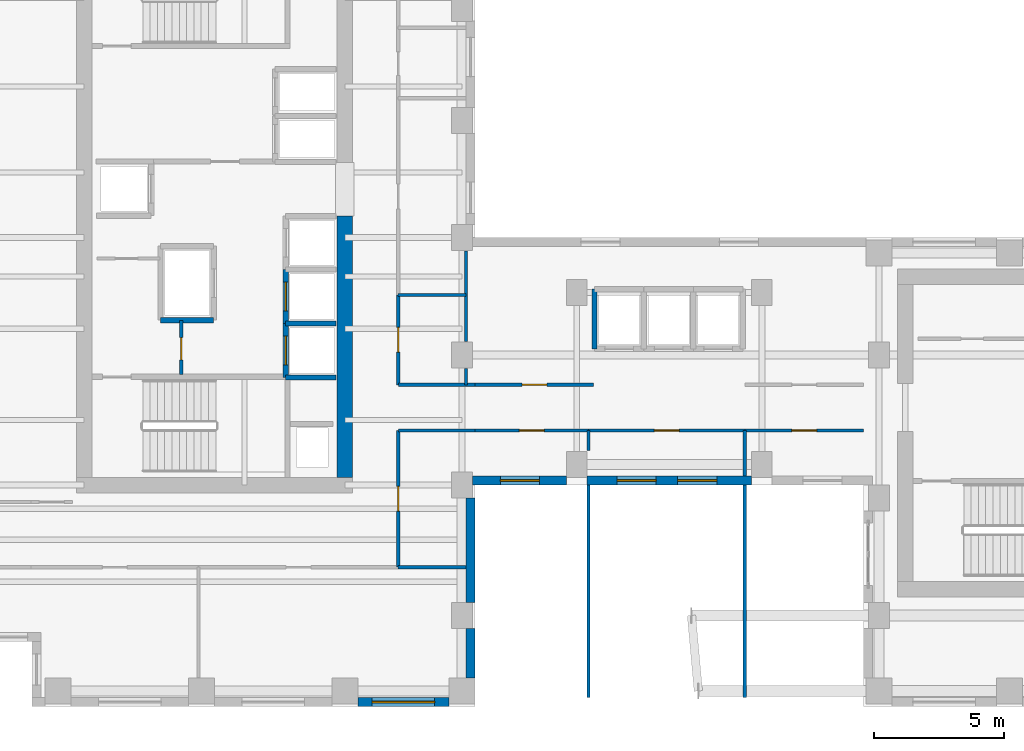
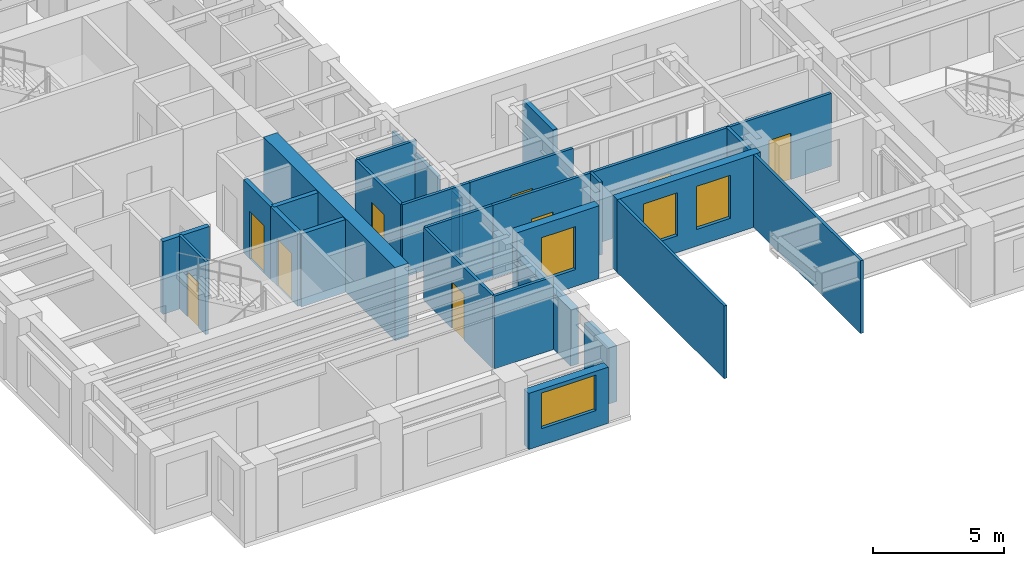
# One storey, part 6 of 13: 29 walls, 9 doors, 4 windows, 13 openings.
"""IFC4 building model written with IfcOpenShell, lengths in metres."""

from ifc_helpers import new_model, si_unit, direction, frame, frame_2d, origin, place, context, subcontext, project, spatial, rectangle, extrude, source, transform, mapped, material, layer, layer_set, type_object, element, fill, save


model = new_model("IFC4")

# Units and contexts
model_context = context("Model", 3, precision=1e-05, world=origin(), true_north=direction((0.0, 1.0)))
body_context = subcontext(model_context, "Body", "Model", "MODEL_VIEW")
ifc_project = project(units=[si_unit("LENGTHUNIT", "METRE"), si_unit("AREAUNIT", "SQUARE_METRE"), si_unit("VOLUMEUNIT", "CUBIC_METRE"), si_unit("PLANEANGLEUNIT", "RADIAN"), si_unit("MASSUNIT", "GRAM", prefix="KILO")], contexts=[model_context])

# Site, building, storey
site_placement = place(None, origin())
site = spatial("IfcSite", under=ifc_project, at=site_placement, CompositionType="ELEMENT")
building_placement = place(site_placement, origin())
building = spatial("IfcBuilding", under=site, at=building_placement, Name="Kharzan Plaza Tower", CompositionType="ELEMENT")
storey_placement = place(building_placement, frame((0.0, 0.0, 161.10009765625)))
storey = spatial("IfcBuildingStorey", under=building, at=storey_placement, Name="L43", CompositionType="ELEMENT", Elevation=161.10009765625)

# Wall, opening, window
ifc_material_1 = material(Name="Concrete C40/50", Category="concrete")
ifc_layer_1 = layer(ifc_material_1, 0.35009765625)
ifc_layer_set_1 = layer_set([ifc_layer_1], Name="Concrete C40/50")
wall_type_1 = type_object("IfcWallType", Name="WL-EXT-MAS-Z3", PredefinedType="SOLIDWALL", material=ifc_layer_set_1)
wall_1_placement = place(storey_placement, frame((14.998046875, 0.175048828125, 0.0), z_axis=(0.0, 0.0, 1.0), x_axis=(1.0, 0.0, 0.0)))
wall_1 = element("IfcWall", 1, at=wall_1_placement, inside=storey, type_object=wall_type_1, Name="L43 Masonry-Frame Exterior Wall 23", PredefinedType="SOLIDWALL", context=body_context, shape_type="SweptSolid", body=[
    extrude(rectangle(XDim=3.50390625, YDim=0.35009765625, at=frame_2d((1.751953125, 0.0))), origin(), (0.0, 0.0, 1.0), 2.61181640625),
])
opening_1_placement = place(wall_1_placement, frame((0.552001953125, 0.0, 0.780029296875)))
opening_1 = element("IfcOpeningElement", 2, at=opening_1_placement, cuts=wall_1, Name="Opening W2", PredefinedType="OPENING", context=body_context, shape_type="SweptSolid", body=[
    extrude(rectangle(XDim=2.39990234375, YDim=1.652099609375, at=frame_2d((1.199951171875, 0.826171875))), frame((0.0, 0.18505859375, 0.0), z_axis=(0.0, -1.0, 0.0), x_axis=(1.0, 0.0, 0.0)), (0.0, 0.0, 1.0), 0.3701171875),
])
ifc_material_2 = material(Name="Low-E Double Glazing", Category="glass")
window_type_1 = type_object("IfcWindowType", Name="WN-REC-2400x2100", PartitioningType="SINGLE_PANEL", PredefinedType="WINDOW", material=ifc_material_2)
shared_shape_1 = source(origin(), body_context, "Body", "SweptSolid", [
    extrude(rectangle(XDim=2.39990234375, YDim=1.652099609375, at=frame_2d((1.199951171875, 0.826171875))), frame((0.0, 0.030029296875, 0.0), z_axis=(0.0, -1.0, 0.0), x_axis=(1.0, 0.0, 0.0)), (0.0, 0.0, 1.0), 0.06005859375),
])
window_1_placement = place(opening_1_placement, origin())
window_1 = element("IfcWindow", 3, at=window_1_placement, inside=storey, type_object=window_type_1, Name="L43 Wide Recessed Solar-Control Window 23-1", OverallHeight=1.652099609375, OverallWidth=2.39990234375, PartitioningType="SINGLE_PANEL", PredefinedType="WINDOW", context=body_context, shape_type="MappedRepresentation", body=[
    mapped(shared_shape_1, transform((0.0, 0.0, 0.0), x_axis=(1.0, 0.0, 0.0), y_axis=(0.0, 1.0, 0.0), z_axis=(0.0, 0.0, 1.0))),
])
fill(opening_1, window_1)

wall_2_placement = place(storey_placement, frame((19.39794921875, 8.675048828125, 0.0), z_axis=(0.0, 0.0, 1.0), x_axis=(1.0, 0.0, 0.0)))
wall_2 = element("IfcWall", 4, at=wall_2_placement, inside=storey, type_object=wall_type_1, Name="L43 Masonry-Frame Exterior Wall 26", PredefinedType="SOLIDWALL", context=body_context, shape_type="SweptSolid", body=[
    extrude(rectangle(XDim=3.60400390625, YDim=0.35009765625, at=frame_2d((1.802001953125, 0.0))), origin(), (0.0, 0.0, 1.0), 3.385009765625),
])
opening_2_placement = place(wall_2_placement, frame((1.067138671875, 0.0, 0.780029296875)))
opening_2 = element("IfcOpeningElement", 5, at=opening_2_placement, cuts=wall_2, Name="Opening W5", PredefinedType="OPENING", context=body_context, shape_type="SweptSolid", body=[
    extrude(rectangle(XDim=1.5, YDim=2.0, at=frame_2d((0.75, 1.0))), frame((0.0, 0.18505859375, 0.0), z_axis=(0.0, -1.0, 0.0), x_axis=(1.0, 0.0, 0.0)), (0.0, 0.0, 1.0), 0.3701171875),
])
window_type_2 = type_object("IfcWindowType", Name="WN-SLT-1500x2000", PartitioningType="SINGLE_PANEL", PredefinedType="WINDOW", material=ifc_material_2)
shared_shape_2 = source(origin(), body_context, "Body", "SweptSolid", [
    extrude(rectangle(XDim=1.5, YDim=2.0, at=frame_2d((0.75, 1.0))), frame((0.0, 0.030029296875, 0.0), z_axis=(0.0, -1.0, 0.0), x_axis=(1.0, 0.0, 0.0)), (0.0, 0.0, 1.0), 0.06005859375),
])
window_2_placement = place(opening_2_placement, origin())
window_2 = element("IfcWindow", 6, at=window_2_placement, inside=storey, type_object=window_type_2, Name="L43 Recessed Solar-Control Window 26-1", OverallHeight=2.0, OverallWidth=1.5, PartitioningType="SINGLE_PANEL", PredefinedType="WINDOW", context=body_context, shape_type="MappedRepresentation", body=[
    mapped(shared_shape_2, transform((0.0, 0.0, 0.0), x_axis=(1.0, 0.0, 0.0), y_axis=(0.0, 1.0, 0.0), z_axis=(0.0, 0.0, 1.0))),
])
fill(opening_2, window_2)

# Wall, openings, windows
wall_3_placement = place(storey_placement, frame((23.798095703125, 8.675048828125, 0.0), z_axis=(0.0, 0.0, 1.0), x_axis=(1.0, 0.0, 0.0)))
wall_3 = element("IfcWall", 7, at=wall_3_placement, inside=storey, type_object=wall_type_1, Name="L43 Masonry-Frame Exterior Wall 27", PredefinedType="SOLIDWALL", context=body_context, shape_type="SweptSolid", body=[
    extrude(rectangle(XDim=6.303955078125, YDim=0.35009765625, at=frame_2d((3.15185546875, 0.0))), origin(), (0.0, 0.0, 1.0), 3.385009765625),
])
opening_3_placement = place(wall_3_placement, frame((1.147216796875, 0.0, 0.780029296875)))
opening_3 = element("IfcOpeningElement", 8, at=opening_3_placement, cuts=wall_3, Name="Opening W5", PredefinedType="OPENING", context=body_context, shape_type="SweptSolid", body=[
    extrude(rectangle(XDim=1.5, YDim=2.0, at=frame_2d((0.75, 1.0))), frame((0.0, 0.18505859375, 0.0), z_axis=(0.0, -1.0, 0.0), x_axis=(1.0, 0.0, 0.0)), (0.0, 0.0, 1.0), 0.3701171875),
])
opening_4_placement = place(wall_3_placement, frame((3.474609375, 0.0, 0.780029296875)))
opening_4 = element("IfcOpeningElement", 9, at=opening_4_placement, cuts=wall_3, Name="Opening W5", PredefinedType="OPENING", context=body_context, shape_type="SweptSolid", body=[
    extrude(rectangle(XDim=1.5, YDim=2.0, at=frame_2d((0.75, 1.0))), frame((0.0, 0.18505859375, 0.0), z_axis=(0.0, -1.0, 0.0), x_axis=(1.0, 0.0, 0.0)), (0.0, 0.0, 1.0), 0.3701171875),
])
window_3_placement = place(opening_3_placement, origin())
window_3 = element("IfcWindow", 10, at=window_3_placement, inside=storey, type_object=window_type_2, Name="L43 Recessed Solar-Control Window 27-1", OverallHeight=2.0, OverallWidth=1.5, PartitioningType="SINGLE_PANEL", PredefinedType="WINDOW", context=body_context, shape_type="MappedRepresentation", body=[
    mapped(shared_shape_2, transform((0.0, 0.0, 0.0), x_axis=(1.0, 0.0, 0.0), y_axis=(0.0, 1.0, 0.0), z_axis=(0.0, 0.0, 1.0))),
])
fill(opening_3, window_3)
window_4_placement = place(opening_4_placement, origin())
window_4 = element("IfcWindow", 11, at=window_4_placement, inside=storey, type_object=window_type_2, Name="L43 Recessed Solar-Control Window 27-2", OverallHeight=2.0, OverallWidth=1.5, PartitioningType="SINGLE_PANEL", PredefinedType="WINDOW", context=body_context, shape_type="MappedRepresentation", body=[
    mapped(shared_shape_2, transform((0.0, 0.0, 0.0), x_axis=(1.0, 0.0, 0.0), y_axis=(0.0, 1.0, 0.0), z_axis=(0.0, 0.0, 1.0))),
])
fill(opening_4, window_4)

# Wall, opening, door
ifc_material_3 = material(Name="Fire-Rated Gypsum Board Partition", Category="gypsum")
ifc_layer_2 = layer(ifc_material_3, 0.125)
ifc_layer_set_2 = layer_set([ifc_layer_2], Name="Fire-Rated Gypsum Board Partition")
wall_type_2 = type_object("IfcWallType", Name="WL-INT-PART-125", PredefinedType="PARTITIONING", material=ifc_layer_set_2)
wall_4_placement = place(storey_placement, frame((8.219970703125, 12.75, 0.0), z_axis=(0.0, 0.0, 1.0), x_axis=(0.0, 1.0, 0.0)))
wall_4 = element("IfcWall", 12, at=wall_4_placement, inside=storey, type_object=wall_type_2, Name="L43 Interior Partition CA-K1E", PredefinedType="PARTITIONING", context=body_context, shape_type="SweptSolid", body=[
    extrude(rectangle(XDim=2.070068359375, YDim=0.125, at=frame_2d((1.03515625, 0.0))), origin(), (0.0, 0.0, 1.0), 3.385009765625),
])
opening_5_placement = place(wall_4_placement, frame((0.56005859375, 0.0, 0.0)))
opening_5 = element("IfcOpeningElement", 13, at=opening_5_placement, cuts=wall_4, Name="Opening RD1", PredefinedType="OPENING", context=body_context, shape_type="SweptSolid", body=[
    extrude(rectangle(XDim=0.85009765625, YDim=2.10009765625, at=frame_2d((0.425048828125, 1.050048828125))), frame((0.0, 0.072509765625, 0.0), z_axis=(0.0, -1.0, 0.0), x_axis=(1.0, 0.0, 0.0)), (0.0, 0.0, 1.0), 0.14501953125),
])
ifc_material_4 = material(Name="Powder-Coated Fire-Rated Steel", Category="steel")
door_type_1 = type_object("IfcDoorType", Name="DR-RISER-900", OperationType="NOTDEFINED", PredefinedType="DOOR", material=ifc_material_4)
shared_shape_3 = source(origin(), body_context, "Body", "SweptSolid", [
    extrude(rectangle(XDim=0.85009765625, YDim=2.10009765625, at=frame_2d((0.425048828125, 1.050048828125))), frame((0.0, 0.02490234375, 0.0), z_axis=(0.0, -1.0, 0.0), x_axis=(1.0, 0.0, 0.0)), (0.0, 0.0, 1.0), 0.050048828125),
])
door_1_placement = place(opening_5_placement, origin())
door_1 = element("IfcDoor", 14, at=door_1_placement, inside=storey, type_object=door_type_1, Name="L43 Core Service Store Door", OperationType="SINGLE_SWING_LEFT", OverallHeight=2.10009765625, OverallWidth=0.85009765625, PredefinedType="DOOR", context=body_context, shape_type="MappedRepresentation", body=[
    mapped(shared_shape_3, transform((0.0, 0.0, 0.0), x_axis=(1.0, 0.0, 0.0), y_axis=(0.0, 1.0, 0.0), z_axis=(0.0, 0.0, 1.0))),
])
fill(opening_5, door_1)

wall_5_placement = place(storey_placement, frame((16.550048828125, 12.35009765625, 0.0), z_axis=(0.0, 0.0, 1.0), x_axis=(0.0, 1.0, 0.0)))
wall_5 = element("IfcWall", 15, at=wall_5_placement, inside=storey, type_object=wall_type_2, Name="L43 Interior Partition SH-AEWN1", PredefinedType="PARTITIONING", context=body_context, shape_type="SweptSolid", body=[
    extrude(rectangle(XDim=3.449951171875, YDim=0.125, at=frame_2d((1.72509765625, 0.0))), origin(), (0.0, 0.0, 1.0), 3.385009765625),
])
opening_6_placement = place(wall_5_placement, frame((1.25, 0.0, 0.0)))
opening_6 = element("IfcOpeningElement", 16, at=opening_6_placement, cuts=wall_5, Name="Opening OD1", PredefinedType="OPENING", context=body_context, shape_type="SweptSolid", body=[
    extrude(rectangle(XDim=0.949951171875, YDim=2.14990234375, at=frame_2d((0.47509765625, 1.074951171875))), frame((0.0, 0.072509765625, 0.0), z_axis=(0.0, -1.0, 0.0), x_axis=(1.0, 0.0, 0.0)), (0.0, 0.0, 1.0), 0.14501953125),
])
ifc_material_5 = material(Name="Acoustic Solid-Core Stained Oak", Category="timber")
door_type_2 = type_object("IfcDoorType", Name="DR-OFF-SINGLE", OperationType="NOTDEFINED", PredefinedType="DOOR", material=ifc_material_5)
shared_shape_4 = source(origin(), body_context, "Body", "SweptSolid", [
    extrude(rectangle(XDim=0.949951171875, YDim=2.14990234375, at=frame_2d((0.47509765625, 1.074951171875))), frame((0.0, 0.02490234375, 0.0), z_axis=(0.0, -1.0, 0.0), x_axis=(1.0, 0.0, 0.0)), (0.0, 0.0, 1.0), 0.050048828125),
])
door_2_placement = place(opening_6_placement, origin())
door_2 = element("IfcDoor", 17, at=door_2_placement, inside=storey, type_object=door_type_2, Name="L43 Slot Collaboration Door", OperationType="SINGLE_SWING_RIGHT", OverallHeight=2.14990234375, OverallWidth=0.949951171875, PredefinedType="DOOR", context=body_context, shape_type="MappedRepresentation", body=[
    mapped(shared_shape_4, transform((0.0, 0.0, 0.0), x_axis=(1.0, 0.0, 0.0), y_axis=(0.0, 1.0, 0.0), z_axis=(0.0, 0.0, 1.0))),
])
fill(opening_6, door_2)

wall_6_placement = place(storey_placement, frame((16.550048828125, 5.35009765625, 0.0), z_axis=(0.0, 0.0, 1.0), x_axis=(0.0, 1.0, 0.0)))
wall_6 = element("IfcWall", 18, at=wall_6_placement, inside=storey, type_object=wall_type_2, Name="L43 Interior Partition SH-AEWS", PredefinedType="PARTITIONING", context=body_context, shape_type="SweptSolid", body=[
    extrude(rectangle(XDim=5.25, YDim=0.125, at=frame_2d((2.625, 0.0))), origin(), (0.0, 0.0, 1.0), 3.385009765625),
])
opening_7_placement = place(wall_6_placement, frame((2.14990234375, 0.0, 0.0)))
opening_7 = element("IfcOpeningElement", 19, at=opening_7_placement, cuts=wall_6, Name="Opening OD1", PredefinedType="OPENING", context=body_context, shape_type="SweptSolid", body=[
    extrude(rectangle(XDim=0.949951171875, YDim=2.14990234375, at=frame_2d((0.47509765625, 1.074951171875))), frame((0.0, 0.072509765625, 0.0), z_axis=(0.0, -1.0, 0.0), x_axis=(1.0, 0.0, 0.0)), (0.0, 0.0, 1.0), 0.14501953125),
])
door_3_placement = place(opening_7_placement, origin())
door_3 = element("IfcDoor", 20, at=door_3_placement, inside=storey, type_object=door_type_2, Name="L43 Slot South Office Door", OperationType="SINGLE_SWING_LEFT", OverallHeight=2.14990234375, OverallWidth=0.949951171875, PredefinedType="DOOR", context=body_context, shape_type="MappedRepresentation", body=[
    mapped(shared_shape_4, transform((0.0, 0.0, 0.0), x_axis=(1.0, 0.0, 0.0), y_axis=(0.0, 1.0, 0.0), z_axis=(0.0, 0.0, 1.0))),
])
fill(opening_7, door_3)

wall_7_placement = place(storey_placement, frame((19.5, 12.35009765625, 0.0), z_axis=(0.0, 0.0, 1.0), x_axis=(1.0, 0.0, 0.0)))
wall_7 = element("IfcWall", 21, at=wall_7_placement, inside=storey, type_object=wall_type_2, Name="L43 Interior Partition SH-SPNW1", PredefinedType="PARTITIONING", context=body_context, shape_type="SweptSolid", body=[
    extrude(rectangle(XDim=4.550048828125, YDim=0.125, at=frame_2d((2.27490234375, 0.0))), origin(), (0.0, 0.0, 1.0), 3.385009765625),
])
opening_8_placement = place(wall_7_placement, frame((1.800048828125, 0.0, 0.0)))
opening_8 = element("IfcOpeningElement", 22, at=opening_8_placement, cuts=wall_7, Name="Opening OD1", PredefinedType="OPENING", context=body_context, shape_type="SweptSolid", body=[
    extrude(rectangle(XDim=0.949951171875, YDim=2.14990234375, at=frame_2d((0.47509765625, 1.074951171875))), frame((0.0, 0.072509765625, 0.0), z_axis=(0.0, -1.0, 0.0), x_axis=(1.0, 0.0, 0.0)), (0.0, 0.0, 1.0), 0.14501953125),
])
door_4_placement = place(opening_8_placement, origin())
door_4 = element("IfcDoor", 23, at=door_4_placement, inside=storey, type_object=door_type_2, Name="L43 North-West Spine Door", OperationType="SINGLE_SWING_LEFT", OverallHeight=2.14990234375, OverallWidth=0.949951171875, PredefinedType="DOOR", context=body_context, shape_type="MappedRepresentation", body=[
    mapped(shared_shape_4, transform((0.0, 0.0, 0.0), x_axis=(1.0, 0.0, 0.0), y_axis=(0.0, 1.0, 0.0), z_axis=(0.0, 0.0, 1.0))),
])
fill(opening_8, door_4)

wall_8_placement = place(storey_placement, frame((19.5, 10.60009765625, 0.0), z_axis=(0.0, 0.0, 1.0), x_axis=(1.0, 0.0, 0.0)))
wall_8 = element("IfcWall", 24, at=wall_8_placement, inside=storey, type_object=wall_type_2, Name="L43 Interior Partition SH-SPS1", PredefinedType="PARTITIONING", context=body_context, shape_type="SweptSolid", body=[
    extrude(rectangle(XDim=4.35009765625, YDim=0.125, at=frame_2d((2.175048828125, 0.0))), origin(), (0.0, 0.0, 1.0), 3.385009765625),
])
opening_9_placement = place(wall_8_placement, frame((1.699951171875, 0.0, 0.0)))
opening_9 = element("IfcOpeningElement", 25, at=opening_9_placement, cuts=wall_8, Name="Opening OD1", PredefinedType="OPENING", context=body_context, shape_type="SweptSolid", body=[
    extrude(rectangle(XDim=0.949951171875, YDim=2.14990234375, at=frame_2d((0.47509765625, 1.074951171875))), frame((0.0, 0.072509765625, 0.0), z_axis=(0.0, -1.0, 0.0), x_axis=(1.0, 0.0, 0.0)), (0.0, 0.0, 1.0), 0.14501953125),
])
door_5_placement = place(opening_9_placement, origin())
door_5 = element("IfcDoor", 26, at=door_5_placement, inside=storey, type_object=door_type_2, Name="L43 Spine Studio 1 Door", OperationType="SINGLE_SWING_RIGHT", OverallHeight=2.14990234375, OverallWidth=0.949951171875, PredefinedType="DOOR", context=body_context, shape_type="MappedRepresentation", body=[
    mapped(shared_shape_4, transform((0.0, 0.0, 0.0), x_axis=(1.0, 0.0, 0.0), y_axis=(0.0, 1.0, 0.0), z_axis=(0.0, 0.0, 1.0))),
])
fill(opening_9, door_5)

wall_9_placement = place(storey_placement, frame((23.85009765625, 10.60009765625, 0.0), z_axis=(0.0, 0.0, 1.0), x_axis=(1.0, 0.0, 0.0)))
wall_9 = element("IfcWall", 27, at=wall_9_placement, inside=storey, type_object=wall_type_2, Name="L43 Interior Partition SH-SPS2", PredefinedType="PARTITIONING", context=body_context, shape_type="SweptSolid", body=[
    extrude(rectangle(XDim=6.0, YDim=0.125, at=frame_2d((3.0, 0.0))), origin(), (0.0, 0.0, 1.0), 3.385009765625),
])
opening_10_placement = place(wall_9_placement, frame((2.52490234375, 0.0, 0.0)))
opening_10 = element("IfcOpeningElement", 28, at=opening_10_placement, cuts=wall_9, Name="Opening OD1", PredefinedType="OPENING", context=body_context, shape_type="SweptSolid", body=[
    extrude(rectangle(XDim=0.949951171875, YDim=2.14990234375, at=frame_2d((0.47509765625, 1.074951171875))), frame((0.0, 0.072509765625, 0.0), z_axis=(0.0, -1.0, 0.0), x_axis=(1.0, 0.0, 0.0)), (0.0, 0.0, 1.0), 0.14501953125),
])
door_6_placement = place(opening_10_placement, origin())
door_6 = element("IfcDoor", 29, at=door_6_placement, inside=storey, type_object=door_type_2, Name="L43 Spine Studio 2 Door", OperationType="SINGLE_SWING_LEFT", OverallHeight=2.14990234375, OverallWidth=0.949951171875, PredefinedType="DOOR", context=body_context, shape_type="MappedRepresentation", body=[
    mapped(shared_shape_4, transform((0.0, 0.0, 0.0), x_axis=(1.0, 0.0, 0.0), y_axis=(0.0, 1.0, 0.0), z_axis=(0.0, 0.0, 1.0))),
])
fill(opening_10, door_6)

wall_10_placement = place(storey_placement, frame((29.85009765625, 10.60009765625, 0.0), z_axis=(0.0, 0.0, 1.0), x_axis=(1.0, 0.0, 0.0)))
wall_10 = element("IfcWall", 30, at=wall_10_placement, inside=storey, type_object=wall_type_2, Name="L43 Interior Partition SH-SPS3", PredefinedType="PARTITIONING", context=body_context, shape_type="SweptSolid", body=[
    extrude(rectangle(XDim=4.5498046875, YDim=0.125, at=frame_2d((2.27490234375, 0.0))), origin(), (0.0, 0.0, 1.0), 3.385009765625),
])
opening_11_placement = place(wall_10_placement, frame((1.800048828125, 0.0, 0.0)))
opening_11 = element("IfcOpeningElement", 31, at=opening_11_placement, cuts=wall_10, Name="Opening OD1", PredefinedType="OPENING", context=body_context, shape_type="SweptSolid", body=[
    extrude(rectangle(XDim=0.949951171875, YDim=2.14990234375, at=frame_2d((0.47509765625, 1.074951171875))), frame((0.0, 0.072509765625, 0.0), z_axis=(0.0, -1.0, 0.0), x_axis=(1.0, 0.0, 0.0)), (0.0, 0.0, 1.0), 0.14501953125),
])
door_7_placement = place(opening_11_placement, origin())
door_7 = element("IfcDoor", 32, at=door_7_placement, inside=storey, type_object=door_type_2, Name="L43 Spine Studio 3 Door", OperationType="SINGLE_SWING_RIGHT", OverallHeight=2.14990234375, OverallWidth=0.949951171875, PredefinedType="DOOR", context=body_context, shape_type="MappedRepresentation", body=[
    mapped(shared_shape_4, transform((0.0, 0.0, 0.0), x_axis=(1.0, 0.0, 0.0), y_axis=(0.0, 1.0, 0.0), z_axis=(0.0, 0.0, 1.0))),
])
fill(opening_11, door_7)

ifc_layer_3 = layer(ifc_material_1, 0.199951171875)
ifc_layer_set_3 = layer_set([ifc_layer_3], Name="Concrete C40/50")
wall_type_3 = type_object("IfcWallType", Name="WL-INT-SHAFT-200", PredefinedType="PARTITIONING", material=ifc_layer_set_3)
wall_11_placement = place(storey_placement, frame((12.22998046875, 12.6298828125, 0.0), z_axis=(0.0, 0.0, 1.0), x_axis=(0.0, 1.0, 0.0)))
wall_11 = element("IfcWall", 33, at=wall_11_placement, inside=storey, type_object=wall_type_3, Name="L43 Interior Partition SHF-PL-H1-W", PredefinedType="PARTITIONING", context=body_context, shape_type="SweptSolid", body=[
    extrude(rectangle(XDim=2.070068359375, YDim=0.199951171875, at=frame_2d((1.03515625, 0.0))), origin(), (0.0, 0.0, 1.0), 3.385009765625),
])
opening_12_placement = place(wall_11_placement, frame((0.485107421875, 0.0, 0.0)))
opening_12 = element("IfcOpeningElement", 34, at=opening_12_placement, cuts=wall_11, Name="Opening LD", PredefinedType="OPENING", context=body_context, shape_type="SweptSolid", body=[
    extrude(rectangle(XDim=1.10009765625, YDim=2.199951171875, at=frame_2d((0.550048828125, 1.10009765625))), frame((0.0, 0.10986328125, 0.0), z_axis=(0.0, -1.0, 0.0), x_axis=(1.0, 0.0, 0.0)), (0.0, 0.0, 1.0), 0.219970703125),
])
ifc_material_6 = material(Name="Brushed Stainless Steel", Category="steel")
door_type_3 = type_object("IfcDoorType", Name="DR-LIFT-SLIDE", OperationType="SLIDING_TO_LEFT", PredefinedType="DOOR", material=ifc_material_6)
shared_shape_5 = source(origin(), body_context, "Body", "SweptSolid", [
    extrude(rectangle(XDim=1.10009765625, YDim=2.199951171875, at=frame_2d((0.550048828125, 1.10009765625))), frame((0.0, 0.02490234375, 0.0), z_axis=(0.0, -1.0, 0.0), x_axis=(1.0, 0.0, 0.0)), (0.0, 0.0, 1.0), 0.050048828125),
])
door_8_placement = place(opening_12_placement, origin())
door_8 = element("IfcDoor", 35, at=door_8_placement, inside=storey, type_object=door_type_3, Name="L43 High-Rise Passenger Lift PL-H1 Sliding Landing Door", OperationType="SLIDING_TO_LEFT", OverallHeight=2.199951171875, OverallWidth=1.10009765625, PredefinedType="DOOR", context=body_context, shape_type="MappedRepresentation", body=[
    mapped(shared_shape_5, transform((0.0, 0.0, 0.0), x_axis=(1.0, 0.0, 0.0), y_axis=(0.0, 1.0, 0.0), z_axis=(0.0, 0.0, 1.0))),
])
fill(opening_12, door_8)

wall_12_placement = place(storey_placement, frame((12.22998046875, 14.699951171875, 0.0), z_axis=(0.0, 0.0, 1.0), x_axis=(0.0, 1.0, 0.0)))
wall_12 = element("IfcWall", 36, at=wall_12_placement, inside=storey, type_object=wall_type_3, Name="L43 Interior Partition SHF-PL-H2-W", PredefinedType="PARTITIONING", context=body_context, shape_type="SweptSolid", body=[
    extrude(rectangle(XDim=2.070068359375, YDim=0.199951171875, at=frame_2d((1.03515625, 0.0))), origin(), (0.0, 0.0, 1.0), 3.385009765625),
])
opening_13_placement = place(wall_12_placement, frame((0.485107421875, 0.0, 0.0)))
opening_13 = element("IfcOpeningElement", 37, at=opening_13_placement, cuts=wall_12, Name="Opening LD", PredefinedType="OPENING", context=body_context, shape_type="SweptSolid", body=[
    extrude(rectangle(XDim=1.10009765625, YDim=2.199951171875, at=frame_2d((0.550048828125, 1.10009765625))), frame((0.0, 0.10986328125, 0.0), z_axis=(0.0, -1.0, 0.0), x_axis=(1.0, 0.0, 0.0)), (0.0, 0.0, 1.0), 0.219970703125),
])
door_9_placement = place(opening_13_placement, origin())
door_9 = element("IfcDoor", 38, at=door_9_placement, inside=storey, type_object=door_type_3, Name="L43 High-Rise Passenger Lift PL-H2 Sliding Landing Door", OperationType="SLIDING_TO_LEFT", OverallHeight=2.199951171875, OverallWidth=1.10009765625, PredefinedType="DOOR", context=body_context, shape_type="MappedRepresentation", body=[
    mapped(shared_shape_5, transform((0.0, 0.0, 0.0), x_axis=(1.0, 0.0, 0.0), y_axis=(0.0, 1.0, 0.0), z_axis=(0.0, 0.0, 1.0))),
])
fill(opening_13, door_9)

# Walls
ifc_material_7 = material(Name="Concrete C50/60", Category="concrete")
ifc_layer_4 = layer(ifc_material_7, 0.60009765625)
ifc_layer_set_4 = layer_set([ifc_layer_4], Name="Concrete C50/60")
wall_type_4 = type_object("IfcWallType", Name="WL-CORE-600", PredefinedType="SHEAR", material=ifc_layer_set_4)
shared_shape_6 = source(origin(), body_context, "Body", "SweptSolid", [
    extrude(rectangle(XDim=10.02001953125, YDim=0.60009765625, at=frame_2d((5.010009765625, 0.0))), origin(), (0.0, 0.0, 1.0), 3.39990234375),
])
wall_13_placement = place(storey_placement, frame((14.5, 8.800048828125, 0.0), z_axis=(0.0, 0.0, 1.0), x_axis=(0.0, 1.0, 0.0)))
element("IfcWall", 39, at=wall_13_placement, inside=storey, type_object=wall_type_4, Name="L43 CORE-A east shear pier 1", PredefinedType="SHEAR", context=body_context, shape_type="MappedRepresentation", body=[
    mapped(shared_shape_6, transform((0.0, 0.0, 0.0), x_axis=(1.0, 0.0, 0.0), y_axis=(0.0, 1.0, 0.0), z_axis=(0.0, 0.0, 1.0))),
])
shared_shape_7 = source(origin(), body_context, "Body", "SweptSolid", [
    extrude(rectangle(XDim=1.904052734375, YDim=0.35009765625, at=frame_2d((0.9521484375, 0.0))), origin(), (0.0, 0.0, 1.0), 2.61181640625),
])
wall_14_placement = place(storey_placement, frame((19.324951171875, 1.097900390625, 0.0), z_axis=(0.0, 0.0, 1.0), x_axis=(0.0, 1.0, 0.0)))
element("IfcWall", 40, at=wall_14_placement, inside=storey, type_object=wall_type_1, Name="L43 Masonry-Frame Exterior Wall 24", PredefinedType="SOLIDWALL", context=body_context, shape_type="MappedRepresentation", body=[
    mapped(shared_shape_7, transform((0.0, 0.0, 0.0), x_axis=(1.0, 0.0, 0.0), y_axis=(0.0, 1.0, 0.0), z_axis=(0.0, 0.0, 1.0))),
])
shared_shape_8 = source(origin(), body_context, "Body", "SweptSolid", [
    extrude(rectangle(XDim=0.6298828125, YDim=0.125, at=frame_2d((0.31494140625, 0.0))), origin(), (0.0, 0.0, 1.0), 2.77294921875),
])
wall_15_placement = place(storey_placement, frame((19.14990234375, 12.35009765625, 0.0), z_axis=(0.0, 0.0, 1.0), x_axis=(0.0, 1.0, 0.0)))
element("IfcWall", 41, at=wall_15_placement, inside=storey, type_object=wall_type_2, Name="L43 Interior Partition SH-AEN-DIV-S1", PredefinedType="PARTITIONING", context=body_context, shape_type="MappedRepresentation", body=[
    mapped(shared_shape_8, transform((0.0, 0.0, 0.0), x_axis=(1.0, 0.0, 0.0), y_axis=(0.0, 1.0, 0.0), z_axis=(0.0, 0.0, 1.0))),
])
shared_shape_9 = source(origin(), body_context, "Body", "SweptSolid", [
    extrude(rectangle(XDim=3.4599609375, YDim=0.125, at=frame_2d((1.72998046875, 0.0))), origin(), (0.0, 0.0, 1.0), 2.77294921875),
])
wall_16_placement = place(storey_placement, frame((19.14990234375, 14.02001953125, 0.0), z_axis=(0.0, 0.0, 1.0), x_axis=(0.0, 1.0, 0.0)))
element("IfcWall", 42, at=wall_16_placement, inside=storey, type_object=wall_type_2, Name="L43 Interior Partition SH-AEN-DIV-S2", PredefinedType="PARTITIONING", context=body_context, shape_type="MappedRepresentation", body=[
    mapped(shared_shape_9, transform((0.0, 0.0, 0.0), x_axis=(1.0, 0.0, 0.0), y_axis=(0.0, 1.0, 0.0), z_axis=(0.0, 0.0, 1.0))),
])
shared_shape_10 = source(origin(), body_context, "Body", "SweptSolid", [
    extrude(rectangle(XDim=1.93994140625, YDim=0.199951171875, at=frame_2d((0.969970703125, 0.0))), origin(), (0.0, 0.0, 1.0), 3.385009765625),
])
for number, where, z_axis, x_axis, name in (
    (43, (12.22998046875, 14.699951171875, 0.0), (0.0, 0.0, 1.0), (1.0, 0.0, 0.0), "L43 Interior Partition SHF-PL-H1-N"),
    (44, (12.22998046875, 12.6298828125, 0.0), (0.0, 0.0, 1.0), (1.0, 0.0, 0.0), "L43 Interior Partition SHF-PL-H1-S"),
):
    element("IfcWall", number, at=place(storey_placement, frame(where, z_axis=z_axis, x_axis=x_axis)), inside=storey, type_object=wall_type_3, Name=name, PredefinedType="PARTITIONING", context=body_context, shape_type="MappedRepresentation", body=[
        mapped(shared_shape_10, transform((0.0, 0.0, 0.0), x_axis=(1.0, 0.0, 0.0), y_axis=(0.0, 1.0, 0.0), z_axis=(0.0, 0.0, 1.0))),
    ])
shared_shape_11 = source(origin(), body_context, "Body", "SweptSolid", [
    extrude(rectangle(XDim=2.2900390625, YDim=0.199951171875, at=frame_2d((1.14501953125, 0.0))), origin(), (0.0, 0.0, 1.0), 3.385009765625),
])
wall_17_placement = place(storey_placement, frame((24.080078125, 13.72998046875, 0.0), z_axis=(0.0, 0.0, 1.0), x_axis=(0.0, 1.0, 0.0)))
element("IfcWall", 45, at=wall_17_placement, inside=storey, type_object=wall_type_3, Name="L43 Interior Partition SHF-PL-M1-W", PredefinedType="PARTITIONING", context=body_context, shape_type="MappedRepresentation", body=[
    mapped(shared_shape_11, transform((0.0, 0.0, 0.0), x_axis=(1.0, 0.0, 0.0), y_axis=(0.0, 1.0, 0.0), z_axis=(0.0, 0.0, 1.0))),
])
shared_shape_12 = source(origin(), body_context, "Body", "SweptSolid", [
    extrude(rectangle(XDim=2.0400390625, YDim=0.199951171875, at=frame_2d((1.02001953125, 0.0))), origin(), (0.0, 0.0, 1.0), 3.385009765625),
])
wall_18_placement = place(storey_placement, frame((7.429931640625, 14.830078125, 0.0), z_axis=(0.0, 0.0, 1.0), x_axis=(1.0, 0.0, 0.0)))
element("IfcWall", 46, at=wall_18_placement, inside=storey, type_object=wall_type_3, Name="L43 Interior Partition SHF-SVL-1-S", PredefinedType="PARTITIONING", context=body_context, shape_type="MappedRepresentation", body=[
    mapped(shared_shape_12, transform((0.0, 0.0, 0.0), x_axis=(1.0, 0.0, 0.0), y_axis=(0.0, 1.0, 0.0), z_axis=(0.0, 0.0, 1.0))),
])
shared_shape_13 = source(origin(), body_context, "Body", "SweptSolid", [
    extrude(rectangle(XDim=2.597900390625, YDim=0.125, at=frame_2d((1.298828125, 0.0))), origin(), (0.0, 0.0, 1.0), 3.385009765625),
])
wall_19_placement = place(storey_placement, frame((16.550048828125, 5.35009765625, 0.0), z_axis=(0.0, 0.0, 1.0), x_axis=(1.0, 0.0, 0.0)))
element("IfcWall", 47, at=wall_19_placement, inside=storey, type_object=wall_type_2, Name="L43 Interior Partition SH-SSE-2", PredefinedType="PARTITIONING", context=body_context, shape_type="MappedRepresentation", body=[
    mapped(shared_shape_13, transform((0.0, 0.0, 0.0), x_axis=(1.0, 0.0, 0.0), y_axis=(0.0, 1.0, 0.0), z_axis=(0.0, 0.0, 1.0))),
])
shared_shape_14 = source(origin(), body_context, "Body", "SweptSolid", [
    extrude(rectangle(XDim=2.949951171875, YDim=0.125, at=frame_2d((1.47509765625, 0.0))), origin(), (0.0, 0.0, 1.0), 3.385009765625),
])
for number, where, z_axis, x_axis, name in (
    (48, (16.550048828125, 12.35009765625, 0.0), (0.0, 0.0, 1.0), (1.0, 0.0, 0.0), "L43 Interior Partition SH-SPNW0"),
    (49, (16.550048828125, 10.60009765625, 0.0), (0.0, 0.0, 1.0), (1.0, 0.0, 0.0), "L43 Interior Partition SH-SPS0"),
):
    element("IfcWall", number, at=place(storey_placement, frame(where, z_axis=z_axis, x_axis=x_axis)), inside=storey, type_object=wall_type_2, Name=name, PredefinedType="PARTITIONING", context=body_context, shape_type="MappedRepresentation", body=[
        mapped(shared_shape_14, transform((0.0, 0.0, 0.0), x_axis=(1.0, 0.0, 0.0), y_axis=(0.0, 1.0, 0.0), z_axis=(0.0, 0.0, 1.0))),
    ])
shared_shape_15 = source(origin(), body_context, "Body", "SweptSolid", [
    extrude(rectangle(XDim=2.599853515625, YDim=0.125, at=frame_2d((1.2998046875, 0.0))), origin(), (0.0, 0.0, 1.0), 3.385009765625),
])
wall_20_placement = place(storey_placement, frame((16.550048828125, 15.800048828125, 0.0), z_axis=(0.0, 0.0, 1.0), x_axis=(1.0, 0.0, 0.0)))
element("IfcWall", 50, at=wall_20_placement, inside=storey, type_object=wall_type_2, Name="L43 Interior Partition SH-AEH-158", PredefinedType="PARTITIONING", context=body_context, shape_type="MappedRepresentation", body=[
    mapped(shared_shape_15, transform((0.0, 0.0, 0.0), x_axis=(1.0, 0.0, 0.0), y_axis=(0.0, 1.0, 0.0), z_axis=(0.0, 0.0, 1.0))),
])
shared_shape_16 = source(origin(), body_context, "Body", "SweptSolid", [
    extrude(rectangle(XDim=0.780029296875, YDim=0.125, at=frame_2d((0.39013671875, 0.0))), origin(), (0.0, 0.0, 1.0), 3.385009765625),
])
wall_21_placement = place(storey_placement, frame((23.85009765625, 9.820068359375, 0.0), z_axis=(0.0, 0.0, 1.0), x_axis=(0.0, 1.0, 0.0)))
element("IfcWall", 51, at=wall_21_placement, inside=storey, type_object=wall_type_2, Name="L43 Interior Partition SH-SPSV1-S2", PredefinedType="PARTITIONING", context=body_context, shape_type="MappedRepresentation", body=[
    mapped(shared_shape_16, transform((0.0, 0.0, 0.0), x_axis=(1.0, 0.0, 0.0), y_axis=(0.0, 1.0, 0.0), z_axis=(0.0, 0.0, 1.0))),
])
shared_shape_17 = source(origin(), body_context, "Body", "SweptSolid", [
    extrude(rectangle(XDim=8.14794921875, YDim=0.125, at=frame_2d((4.073974609375, 0.0))), origin(), (0.0, 0.0, 1.0), 3.385009765625),
])
for number, where, z_axis, x_axis, name in (
    (52, (23.85009765625, 0.35009765625, 0.0), (0.0, 0.0, 1.0), (0.0, 1.0, 0.0), "L43 Interior Partition SH-SPSV1-S1"),
    (53, (29.85009765625, 0.35009765625, 0.0), (0.0, 0.0, 1.0), (0.0, 1.0, 0.0), "L43 Interior Partition SH-SPSV2-S1"),
):
    element("IfcWall", number, at=place(storey_placement, frame(where, z_axis=z_axis, x_axis=x_axis)), inside=storey, type_object=wall_type_2, Name=name, PredefinedType="PARTITIONING", context=body_context, shape_type="MappedRepresentation", body=[
        mapped(shared_shape_17, transform((0.0, 0.0, 0.0), x_axis=(1.0, 0.0, 0.0), y_axis=(0.0, 1.0, 0.0), z_axis=(0.0, 0.0, 1.0))),
    ])
shared_shape_18 = source(origin(), body_context, "Body", "SweptSolid", [
    extrude(rectangle(XDim=1.748046875, YDim=0.125, at=frame_2d((0.8740234375, 0.0))), origin(), (0.0, 0.0, 1.0), 3.385009765625),
])
wall_22_placement = place(storey_placement, frame((29.85009765625, 8.85205078125, 0.0), z_axis=(0.0, 0.0, 1.0), x_axis=(0.0, 1.0, 0.0)))
element("IfcWall", 54, at=wall_22_placement, inside=storey, type_object=wall_type_2, Name="L43 Interior Partition SH-SPSV2-S2", PredefinedType="PARTITIONING", context=body_context, shape_type="MappedRepresentation", body=[
    mapped(shared_shape_18, transform((0.0, 0.0, 0.0), x_axis=(1.0, 0.0, 0.0), y_axis=(0.0, 1.0, 0.0), z_axis=(0.0, 0.0, 1.0))),
])
shared_shape_19 = source(origin(), body_context, "Body", "SweptSolid", [
    extrude(rectangle(XDim=4.00390625, YDim=0.35009765625, at=frame_2d((2.001953125, 0.0))), origin(), (0.0, 0.0, 1.0), 2.61181640625),
])
wall_23_placement = place(storey_placement, frame((19.324951171875, 3.998046875, 0.0), z_axis=(0.0, 0.0, 1.0), x_axis=(0.0, 1.0, 0.0)))
element("IfcWall", 55, at=wall_23_placement, inside=storey, type_object=wall_type_1, Name="L43 Masonry-Frame Exterior Wall 25", PredefinedType="SOLIDWALL", context=body_context, shape_type="MappedRepresentation", body=[
    mapped(shared_shape_19, transform((0.0, 0.0, 0.0), x_axis=(1.0, 0.0, 0.0), y_axis=(0.0, 1.0, 0.0), z_axis=(0.0, 0.0, 1.0))),
])

save(model, "model.ifc")
